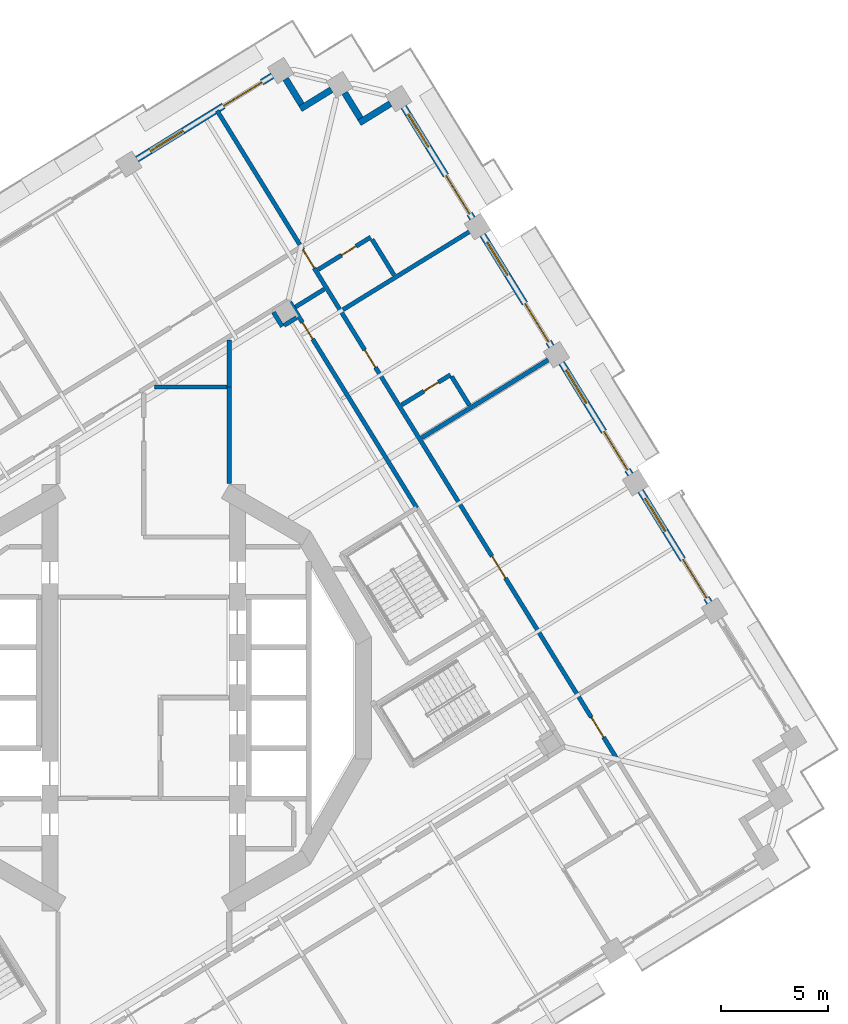
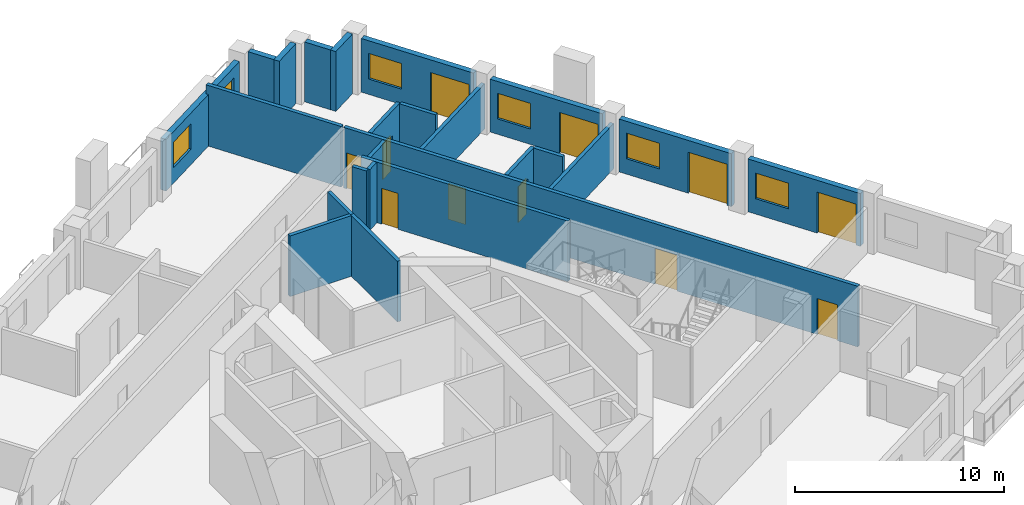
# One storey, part 10 of 20: 24 walls, 12 doors, 5 windows, 17 openings.
"""IFC4 building model written with IfcOpenShell, lengths in metres."""

from ifc_helpers import new_model, si_unit, direction, frame, frame_2d, origin, place, context, subcontext, project, spatial, rectangle, extrude, material, layer, layer_set, type_object, element, fill, save


model = new_model("IFC4")

# Units and contexts
model_context = context("Model", 3, precision=1e-05, world=origin(), true_north=direction((0.0, 1.0)))
body_context = subcontext(model_context, "Body", "Model", "MODEL_VIEW")
ifc_project = project(units=[si_unit("LENGTHUNIT", "METRE"), si_unit("AREAUNIT", "SQUARE_METRE"), si_unit("VOLUMEUNIT", "CUBIC_METRE"), si_unit("PLANEANGLEUNIT", "RADIAN"), si_unit("MASSUNIT", "GRAM", prefix="KILO")], contexts=[model_context])

# Site, building, storey
site_placement = place(None, origin())
site = spatial("IfcSite", under=ifc_project, at=site_placement, CompositionType="ELEMENT")
building_placement = place(site_placement, origin())
building = spatial("IfcBuilding", under=site, at=building_placement, Name="Cantera Rosa Tower", CompositionType="ELEMENT")
storey_placement = place(building_placement, frame((0.0, 0.0, 155.199951171875)))
storey = spatial("IfcBuildingStorey", under=building, at=storey_placement, Name="L33", CompositionType="ELEMENT", Elevation=155.199951171875)

# Walls
ifc_material_1 = material(Name="Gypsum board partition")
ifc_layer_1 = layer(ifc_material_1, 0.199951171875)
ifc_layer_set_1 = layer_set([ifc_layer_1], Name="CORRIDOR WALL 200 H3550")
wall_type_1 = type_object("IfcWallType", Name="CORRIDOR WALL 200 H3550", PredefinedType="PARTITIONING", material=ifc_layer_set_1)
wall_1_placement = place(storey_placement, frame((3.89990234375, 14.5, 0.0), z_axis=(0.0, 0.0, 1.0), x_axis=(-1.0, 0.0, 0.0)))
element("IfcWall", 1, at=wall_1_placement, inside=storey, type_object=wall_type_1, Name="CORRIDOR WALL L33-071", PredefinedType="PARTITIONING", context=body_context, shape_type="SweptSolid", body=[
    extrude(rectangle(XDim=3.38623046875, YDim=0.199951171875, at=frame_2d((1.693115234375, 0.0))), origin(), (0.0, 0.0, 1.0), 3.550048828125),
])
wall_2_placement = place(storey_placement, frame((4.0, 14.5, 0.0), z_axis=(0.0, 0.0, 1.0), x_axis=(0.0, 1.0, 0.0)))
element("IfcWall", 2, at=wall_2_placement, inside=storey, type_object=wall_type_1, Name="CORRIDOR WALL L33-072", PredefinedType="PARTITIONING", context=body_context, shape_type="SweptSolid", body=[
    extrude(rectangle(XDim=2.2001953125, YDim=0.199951171875, at=frame_2d((1.10009765625, 0.0))), origin(), (0.0, 0.0, 1.0), 3.550048828125),
])
wall_3_placement = place(storey_placement, frame((7.08154296875, 18.234619140625, 0.0), z_axis=(0.0, 0.0, 1.0), x_axis=(0.8511858258, 0.524864449127, 0.0)))
element("IfcWall", 3, at=wall_3_placement, inside=storey, type_object=wall_type_1, Name="CORRIDOR WALL L33-084", PredefinedType="PARTITIONING", context=body_context, shape_type="SweptSolid", body=[
    extrude(rectangle(XDim=1.580078125, YDim=0.199951171875, at=frame_2d((0.7900390625, 0.0))), origin(), (0.0, 0.0, 1.0), 3.550048828125),
])

# Wall, opening, door
wall_4_placement = place(storey_placement, frame((12.74560546875, 8.861328125, 0.0), z_axis=(0.0, 0.0, 1.0), x_axis=(-0.524983574612, 0.851112358263, 0.0)))
wall_4 = element("IfcWall", 4, at=wall_4_placement, inside=storey, type_object=wall_type_1, Name="CORRIDOR WALL L33-101", PredefinedType="PARTITIONING", context=body_context, shape_type="SweptSolid", body=[
    extrude(rectangle(XDim=11.279296875, YDim=0.199951171875, at=frame_2d((5.6396484375, 0.0))), origin(), (0.0, 0.0, 1.0), 3.550048828125),
])
opening_1_placement = place(wall_4_placement, frame((9.26171875, 0.0, 0.0)))
opening_1 = element("IfcOpeningElement", 5, at=opening_1_placement, cuts=wall_4, Name="Opening L33-005", PredefinedType="OPENING", context=body_context, shape_type="SweptSolid", body=[
    extrude(rectangle(XDim=0.89990234375, YDim=2.10009765625, at=frame_2d((0.449951171875, 1.050048828125))), frame((0.0, 0.10986328125, 0.0), z_axis=(0.0, -1.0, 0.0), x_axis=(1.0, 0.0, 0.0)), (0.0, 0.0, 1.0), 0.219970703125),
])
ifc_material_2 = material(Name="Timber door leaf", Category="wood")
door_type_1 = type_object("IfcDoorType", Name="SERVICE DOOR 900x2100", OperationType="NOTDEFINED", PredefinedType="DOOR", material=ifc_material_2)
door_1_placement = place(opening_1_placement, origin())
door_1 = element("IfcDoor", 6, at=door_1_placement, inside=storey, type_object=door_type_1, Name="DOOR L33-005", OperationType="NOTDEFINED", OverallHeight=2.10009765625, OverallWidth=0.89990234375, PredefinedType="DOOR", context=body_context, shape_type="SweptSolid", body=[
    extrude(rectangle(XDim=0.89990234375, YDim=2.10009765625, at=frame_2d((0.449951171875, 1.050048828125))), frame((0.0, 0.02490234375, 0.0), z_axis=(0.0, -1.0, 0.0), x_axis=(1.0, 0.0, 0.0)), (0.0, 0.0, 1.0), 0.050048828125),
])
fill(opening_1, door_1)

# Wall, openings, doors
wall_5_placement = place(storey_placement, frame((22.047607421875, -2.791015625, 0.0), z_axis=(0.0, 0.0, 1.0), x_axis=(-0.524972822833, 0.851118990087, 0.0)))
wall_5 = element("IfcWall", 7, at=wall_5_placement, inside=storey, type_object=wall_type_1, Name="CORRIDOR WALL L33-117", PredefinedType="PARTITIONING", context=body_context, shape_type="SweptSolid", body=[
    extrude(rectangle(XDim=28.0, YDim=0.199951171875, at=frame_2d((14.0, 0.0))), origin(), (0.0, 0.0, 1.0), 3.550048828125),
])
opening_2_placement = place(wall_5_placement, frame((9.840087890625, 0.0, 0.0)))
opening_2 = element("IfcOpeningElement", 8, at=opening_2_placement, cuts=wall_5, Name="Opening L33-019", PredefinedType="OPENING", context=body_context, shape_type="SweptSolid", body=[
    extrude(rectangle(XDim=1.199951171875, YDim=2.10009765625, at=frame_2d((0.60009765625, 1.050048828125))), frame((0.0, 0.10986328125, 0.0), z_axis=(0.0, -1.0, 0.0), x_axis=(1.0, 0.0, 0.0)), (0.0, 0.0, 1.0), 0.219970703125),
])
opening_3_placement = place(wall_5_placement, frame((21.39501953125, 0.0, 0.0)))
opening_3 = element("IfcOpeningElement", 9, at=opening_3_placement, cuts=wall_5, Name="Opening L33-020", PredefinedType="OPENING", context=body_context, shape_type="SweptSolid", body=[
    extrude(rectangle(XDim=0.949951171875, YDim=2.10009765625, at=frame_2d((0.47509765625, 1.050048828125))), frame((0.0, 0.10986328125, 0.0), z_axis=(0.0, -1.0, 0.0), x_axis=(1.0, 0.0, 0.0)), (0.0, 0.0, 1.0), 0.219970703125),
])
opening_4_placement = place(wall_5_placement, frame((1.110107421875, 0.0, 0.0)))
opening_4 = element("IfcOpeningElement", 10, at=opening_4_placement, cuts=wall_5, Name="Opening L33-022", PredefinedType="OPENING", context=body_context, shape_type="SweptSolid", body=[
    extrude(rectangle(XDim=1.10009765625, YDim=2.10009765625, at=frame_2d((0.550048828125, 1.050048828125))), frame((0.0, 0.10986328125, 0.0), z_axis=(0.0, -1.0, 0.0), x_axis=(1.0, 0.0, 0.0)), (0.0, 0.0, 1.0), 0.219970703125),
])
opening_5_placement = place(wall_5_placement, frame((26.840087890625, 0.0, 0.0)))
opening_5 = element("IfcOpeningElement", 11, at=opening_5_placement, cuts=wall_5, Name="Opening L33-023", PredefinedType="OPENING", context=body_context, shape_type="SweptSolid", body=[
    extrude(rectangle(XDim=1.0, YDim=2.10009765625, at=frame_2d((0.5, 1.050048828125))), frame((0.0, 0.10986328125, 0.0), z_axis=(0.0, -1.0, 0.0), x_axis=(1.0, 0.0, 0.0)), (0.0, 0.0, 1.0), 0.219970703125),
])
ifc_material_3 = material(Name="Timber door leaf", Category="wood")
door_type_2 = type_object("IfcDoorType", Name="ENTRANCE DOOR 1000x2100", OperationType="NOTDEFINED", PredefinedType="DOOR", material=ifc_material_3)
door_2_placement = place(opening_5_placement, origin())
door_2 = element("IfcDoor", 12, at=door_2_placement, inside=storey, type_object=door_type_2, Name="DOOR L33-023", OperationType="NOTDEFINED", OverallHeight=2.10009765625, OverallWidth=1.0, PredefinedType="DOOR", context=body_context, shape_type="SweptSolid", body=[
    extrude(rectangle(XDim=1.0, YDim=2.10009765625, at=frame_2d((0.5, 1.050048828125))), frame((0.0, 0.02490234375, 0.0), z_axis=(0.0, -1.0, 0.0), x_axis=(1.0, 0.0, 0.0)), (0.0, 0.0, 1.0), 0.050048828125),
])
fill(opening_5, door_2)
ifc_material_4 = material(Name="Timber door leaf", Category="wood")
door_type_3 = type_object("IfcDoorType", Name="ROOM DOOR 1100x2100", OperationType="NOTDEFINED", PredefinedType="DOOR", material=ifc_material_4)
door_3_placement = place(opening_4_placement, origin())
door_3 = element("IfcDoor", 13, at=door_3_placement, inside=storey, type_object=door_type_3, Name="DOOR L33-022", OperationType="NOTDEFINED", OverallHeight=2.10009765625, OverallWidth=1.10009765625, PredefinedType="DOOR", context=body_context, shape_type="SweptSolid", body=[
    extrude(rectangle(XDim=1.10009765625, YDim=2.10009765625, at=frame_2d((0.550048828125, 1.050048828125))), frame((0.0, 0.02490234375, 0.0), z_axis=(0.0, -1.0, 0.0), x_axis=(1.0, 0.0, 0.0)), (0.0, 0.0, 1.0), 0.050048828125),
])
fill(opening_4, door_3)
ifc_material_5 = material(Name="Timber door leaf", Category="wood")
door_type_4 = type_object("IfcDoorType", Name="ROOM DOOR 1200x2100", OperationType="NOTDEFINED", PredefinedType="DOOR", material=ifc_material_5)
door_4_placement = place(opening_2_placement, origin())
door_4 = element("IfcDoor", 14, at=door_4_placement, inside=storey, type_object=door_type_4, Name="DOOR L33-019", OperationType="NOTDEFINED", OverallHeight=2.10009765625, OverallWidth=1.199951171875, PredefinedType="DOOR", context=body_context, shape_type="SweptSolid", body=[
    extrude(rectangle(XDim=1.199951171875, YDim=2.10009765625, at=frame_2d((0.60009765625, 1.050048828125))), frame((0.0, 0.02490234375, 0.0), z_axis=(0.0, -1.0, 0.0), x_axis=(1.0, 0.0, 0.0)), (0.0, 0.0, 1.0), 0.050048828125),
])
fill(opening_2, door_4)
ifc_material_6 = material(Name="Timber door leaf", Category="wood")
door_type_5 = type_object("IfcDoorType", Name="ROOM DOOR 950x2100", OperationType="NOTDEFINED", PredefinedType="DOOR", material=ifc_material_6)
door_5_placement = place(opening_3_placement, origin())
door_5 = element("IfcDoor", 15, at=door_5_placement, inside=storey, type_object=door_type_5, Name="DOOR L33-020", OperationType="NOTDEFINED", OverallHeight=2.10009765625, OverallWidth=0.949951171875, PredefinedType="DOOR", context=body_context, shape_type="SweptSolid", body=[
    extrude(rectangle(XDim=0.949951171875, YDim=2.10009765625, at=frame_2d((0.47509765625, 1.050048828125))), frame((0.0, 0.02490234375, 0.0), z_axis=(0.0, -1.0, 0.0), x_axis=(1.0, 0.0, 0.0)), (0.0, 0.0, 1.0), 0.050048828125),
])
fill(opening_3, door_5)

# Walls
ifc_material_7 = material(Name="Hollow clay masonry with cantera stone cladding", Category="masonry")
ifc_layer_2 = layer(ifc_material_7, 0.300048828125)
ifc_layer_set_2 = layer_set([ifc_layer_2], Name="EW-LOGGIA 300")
wall_type_2 = type_object("IfcWallType", Name="EW-LOGGIA 300", PredefinedType="SOLIDWALL", material=ifc_layer_set_2)
wall_6_placement = place(storey_placement, frame((11.51123046875, 27.72021484375, 0.0), z_axis=(0.0, 0.0, 1.0), x_axis=(-0.851130227454, -0.524954603669, 0.0)))
element("IfcWall", 16, at=wall_6_placement, inside=storey, type_object=wall_type_2, Name="EN-L33-W06a", PredefinedType="SOLIDWALL", context=body_context, shape_type="SweptSolid", body=[
    extrude(rectangle(XDim=1.699951171875, YDim=0.300048828125, at=frame_2d((0.85009765625, 0.0))), origin(), (0.0, 0.0, 1.0), 3.5),
])
wall_7_placement = place(storey_placement, frame((10.11328125, 27.0341796875, 0.0), z_axis=(0.0, 0.0, 1.0), x_axis=(-0.524895019961, 0.85116697423, 0.0)))
element("IfcWall", 17, at=wall_7_placement, inside=storey, type_object=wall_type_2, Name="EN-L33-W06b", PredefinedType="SOLIDWALL", context=body_context, shape_type="SweptSolid", body=[
    extrude(rectangle(XDim=1.39990234375, YDim=0.300048828125, at=frame_2d((0.699951171875, 0.0))), origin(), (0.0, 0.0, 1.0), 3.5),
])
wall_8_placement = place(storey_placement, frame((8.75927734375, 28.37255859375, 0.0), z_axis=(0.0, 0.0, 1.0), x_axis=(-0.851105638601, -0.524994468487, 0.0)))
element("IfcWall", 18, at=wall_8_placement, inside=storey, type_object=wall_type_2, Name="EN-L33-W07a", PredefinedType="SOLIDWALL", context=body_context, shape_type="SweptSolid", body=[
    extrude(rectangle(XDim=1.7001953125, YDim=0.300048828125, at=frame_2d((0.85009765625, 0.0))), origin(), (0.0, 0.0, 1.0), 3.5),
])
wall_9_placement = place(storey_placement, frame((7.361083984375, 27.6865234375, 0.0), z_axis=(0.0, 0.0, 1.0), x_axis=(-0.524895019961, 0.85116697423, 0.0)))
element("IfcWall", 19, at=wall_9_placement, inside=storey, type_object=wall_type_2, Name="EN-L33-W07b", PredefinedType="SOLIDWALL", context=body_context, shape_type="SweptSolid", body=[
    extrude(rectangle(XDim=1.39990234375, YDim=0.300048828125, at=frame_2d((0.699951171875, 0.0))), origin(), (0.0, 0.0, 1.0), 3.5),
])

# Wall, openings, window, door
ifc_material_8 = material(Name="Hollow clay masonry with cantera stone cladding", Category="masonry")
ifc_layer_3 = layer(ifc_material_8, 0.300048828125)
ifc_layer_set_3 = layer_set([ifc_layer_3], Name="EW-LOGGIA 300 H3020")
wall_type_3 = type_object("IfcWallType", Name="EW-LOGGIA 300 H3020", PredefinedType="SOLIDWALL", material=ifc_layer_set_3)
wall_10_placement = place(storey_placement, frame((6.007080078125, 29.02490234375, 0.0), z_axis=(0.0, 0.0, 1.0), x_axis=(-0.851111085575, -0.524985637909, 0.0)))
wall_10 = element("IfcWall", 20, at=wall_10_placement, inside=storey, type_object=wall_type_3, Name="EN-L33-W08", PredefinedType="SOLIDWALL", context=body_context, shape_type="SweptSolid", body=[
    extrude(rectangle(XDim=7.420166015625, YDim=0.300048828125, at=frame_2d((3.7099609375, 0.0))), origin(), (0.0, 0.0, 1.0), 3.02001953125),
])
opening_6_placement = place(wall_10_placement, frame((0.580078125, 0.0, 0.0)))
opening_6 = element("IfcOpeningElement", 21, at=opening_6_placement, cuts=wall_10, Name="Opening L33-TD11", PredefinedType="OPENING", context=body_context, shape_type="SweptSolid", body=[
    extrude(rectangle(XDim=2.10009765625, YDim=2.39990234375, at=frame_2d((1.050048828125, 1.199951171875))), frame((0.0, 0.159912109375, 0.0), z_axis=(0.0, -1.0, 0.0), x_axis=(1.0, 0.0, 0.0)), (0.0, 0.0, 1.0), 0.320068359375),
])
opening_7_placement = place(wall_10_placement, frame((4.889892578125, 0.0, 0.89990234375)))
opening_7 = element("IfcOpeningElement", 22, at=opening_7_placement, cuts=wall_10, Name="Opening L33-W12", PredefinedType="OPENING", context=body_context, shape_type="SweptSolid", body=[
    extrude(rectangle(XDim=1.800048828125, YDim=1.5, at=frame_2d((0.89990234375, 0.75))), frame((0.0, 0.159912109375, 0.0), z_axis=(0.0, -1.0, 0.0), x_axis=(1.0, 0.0, 0.0)), (0.0, 0.0, 1.0), 0.320068359375),
])
ifc_material_9 = material(Name="Aluminium frame with clear glass", Category="aluminium")
window_type = type_object("IfcWindowType", Name="Hotel room window 1800x1500", PartitioningType="DOUBLE_PANEL_VERTICAL", PredefinedType="WINDOW", material=ifc_material_9)
window_1_placement = place(opening_7_placement, origin())
window_1 = element("IfcWindow", 23, at=window_1_placement, inside=storey, type_object=window_type, Name="WINDOW L33-W12", OverallHeight=1.5, OverallWidth=1.800048828125, PartitioningType="SINGLE_PANEL", PredefinedType="WINDOW", context=body_context, shape_type="SweptSolid", body=[
    extrude(rectangle(XDim=1.800048828125, YDim=1.5, at=frame_2d((0.89990234375, 0.75))), frame((0.0, 0.030029296875, 0.0), z_axis=(0.0, -1.0, 0.0), x_axis=(1.0, 0.0, 0.0)), (0.0, 0.0, 1.0), 0.06005859375),
])
fill(opening_7, window_1)
ifc_material_10 = material(Name="Aluminium frame with clear glass", Category="aluminium")
door_type_6 = type_object("IfcDoorType", Name="TD-H 2100x2400", OperationType="NOTDEFINED", PredefinedType="DOOR", material=ifc_material_10)
door_6_placement = place(opening_6_placement, origin())
door_6 = element("IfcDoor", 24, at=door_6_placement, inside=storey, type_object=door_type_6, Name="LOGGIA DOOR L33-TD11", OperationType="SLIDING_TO_LEFT", OverallHeight=2.39990234375, OverallWidth=2.10009765625, PredefinedType="DOOR", context=body_context, shape_type="SweptSolid", body=[
    extrude(rectangle(XDim=2.10009765625, YDim=2.39990234375, at=frame_2d((1.050048828125, 1.199951171875))), frame((0.0, 0.02490234375, 0.0), z_axis=(0.0, -1.0, 0.0), x_axis=(1.0, 0.0, 0.0)), (0.0, 0.0, 1.0), 0.050048828125),
])
fill(opening_6, door_6)

ifc_material_11 = material(Name="Hollow clay masonry with cantera stone cladding", Category="masonry")
ifc_layer_4 = layer(ifc_material_11, 0.300048828125)
ifc_layer_set_4 = layer_set([ifc_layer_4], Name="EW-LOGGIA 300 H3090")
wall_type_4 = type_object("IfcWallType", Name="EW-LOGGIA 300 H3090", PredefinedType="SOLIDWALL", material=ifc_layer_set_4)
wall_11_placement = place(storey_placement, frame((26.3994140625, 4.440185546875, 0.0), z_axis=(0.0, 0.0, 1.0), x_axis=(-0.524987447654, 0.851109969279, 0.0)))
wall_11 = element("IfcWall", 25, at=wall_11_placement, inside=storey, type_object=wall_type_4, Name="EN-L33-W02", PredefinedType="SOLIDWALL", context=body_context, shape_type="SweptSolid", body=[
    extrude(rectangle(XDim=6.119873046875, YDim=0.300048828125, at=frame_2d((3.06005859375, 0.0))), origin(), (0.0, 0.0, 1.0), 3.090087890625),
])
opening_8_placement = place(wall_11_placement, frame((0.2548828125, 0.0, 0.0)))
opening_8 = element("IfcOpeningElement", 26, at=opening_8_placement, cuts=wall_11, Name="Opening L33-TD03", PredefinedType="OPENING", context=body_context, shape_type="SweptSolid", body=[
    extrude(rectangle(XDim=2.10009765625, YDim=2.39990234375, at=frame_2d((1.050048828125, 1.199951171875))), frame((0.0, 0.159912109375, 0.0), z_axis=(0.0, -1.0, 0.0), x_axis=(1.0, 0.0, 0.0)), (0.0, 0.0, 1.0), 0.320068359375),
])
opening_9_placement = place(wall_11_placement, frame((3.9150390625, 0.0, 0.89990234375)))
opening_9 = element("IfcOpeningElement", 27, at=opening_9_placement, cuts=wall_11, Name="Opening L33-W04", PredefinedType="OPENING", context=body_context, shape_type="SweptSolid", body=[
    extrude(rectangle(XDim=1.800048828125, YDim=1.5, at=frame_2d((0.89990234375, 0.75))), frame((0.0, 0.159912109375, 0.0), z_axis=(0.0, -1.0, 0.0), x_axis=(1.0, 0.0, 0.0)), (0.0, 0.0, 1.0), 0.320068359375),
])
window_2_placement = place(opening_9_placement, origin())
window_2 = element("IfcWindow", 28, at=window_2_placement, inside=storey, type_object=window_type, Name="WINDOW L33-W04", OverallHeight=1.5, OverallWidth=1.800048828125, PartitioningType="SINGLE_PANEL", PredefinedType="WINDOW", context=body_context, shape_type="SweptSolid", body=[
    extrude(rectangle(XDim=1.800048828125, YDim=1.5, at=frame_2d((0.89990234375, 0.75))), frame((0.0, 0.030029296875, 0.0), z_axis=(0.0, -1.0, 0.0), x_axis=(1.0, 0.0, 0.0)), (0.0, 0.0, 1.0), 0.06005859375),
])
fill(opening_9, window_2)
door_7_placement = place(opening_8_placement, origin())
door_7 = element("IfcDoor", 29, at=door_7_placement, inside=storey, type_object=door_type_6, Name="LOGGIA DOOR L33-TD03", OperationType="SLIDING_TO_LEFT", OverallHeight=2.39990234375, OverallWidth=2.10009765625, PredefinedType="DOOR", context=body_context, shape_type="SweptSolid", body=[
    extrude(rectangle(XDim=2.10009765625, YDim=2.39990234375, at=frame_2d((1.050048828125, 1.199951171875))), frame((0.0, 0.02490234375, 0.0), z_axis=(0.0, -1.0, 0.0), x_axis=(1.0, 0.0, 0.0)), (0.0, 0.0, 1.0), 0.050048828125),
])
fill(opening_8, door_7)

wall_12_placement = place(storey_placement, frame((22.714111328125, 10.4150390625, 0.0), z_axis=(0.0, 0.0, 1.0), x_axis=(-0.524987447654, 0.851109969279, 0.0)))
wall_12 = element("IfcWall", 30, at=wall_12_placement, inside=storey, type_object=wall_type_4, Name="EN-L33-W03", PredefinedType="SOLIDWALL", context=body_context, shape_type="SweptSolid", body=[
    extrude(rectangle(XDim=6.119873046875, YDim=0.300048828125, at=frame_2d((3.06005859375, 0.0))), origin(), (0.0, 0.0, 1.0), 3.090087890625),
])
opening_10_placement = place(wall_12_placement, frame((0.2548828125, 0.0, 0.0)))
opening_10 = element("IfcOpeningElement", 31, at=opening_10_placement, cuts=wall_12, Name="Opening L33-TD05", PredefinedType="OPENING", context=body_context, shape_type="SweptSolid", body=[
    extrude(rectangle(XDim=2.10009765625, YDim=2.39990234375, at=frame_2d((1.050048828125, 1.199951171875))), frame((0.0, 0.159912109375, 0.0), z_axis=(0.0, -1.0, 0.0), x_axis=(1.0, 0.0, 0.0)), (0.0, 0.0, 1.0), 0.320068359375),
])
opening_11_placement = place(wall_12_placement, frame((3.9150390625, 0.0, 0.89990234375)))
opening_11 = element("IfcOpeningElement", 32, at=opening_11_placement, cuts=wall_12, Name="Opening L33-W06", PredefinedType="OPENING", context=body_context, shape_type="SweptSolid", body=[
    extrude(rectangle(XDim=1.800048828125, YDim=1.5, at=frame_2d((0.89990234375, 0.75))), frame((0.0, 0.159912109375, 0.0), z_axis=(0.0, -1.0, 0.0), x_axis=(1.0, 0.0, 0.0)), (0.0, 0.0, 1.0), 0.320068359375),
])
window_3_placement = place(opening_11_placement, origin())
window_3 = element("IfcWindow", 33, at=window_3_placement, inside=storey, type_object=window_type, Name="WINDOW L33-W06", OverallHeight=1.5, OverallWidth=1.800048828125, PartitioningType="SINGLE_PANEL", PredefinedType="WINDOW", context=body_context, shape_type="SweptSolid", body=[
    extrude(rectangle(XDim=1.800048828125, YDim=1.5, at=frame_2d((0.89990234375, 0.75))), frame((0.0, 0.030029296875, 0.0), z_axis=(0.0, -1.0, 0.0), x_axis=(1.0, 0.0, 0.0)), (0.0, 0.0, 1.0), 0.06005859375),
])
fill(opening_11, window_3)
door_8_placement = place(opening_10_placement, origin())
door_8 = element("IfcDoor", 34, at=door_8_placement, inside=storey, type_object=door_type_6, Name="LOGGIA DOOR L33-TD05", OperationType="SLIDING_TO_LEFT", OverallHeight=2.39990234375, OverallWidth=2.10009765625, PredefinedType="DOOR", context=body_context, shape_type="SweptSolid", body=[
    extrude(rectangle(XDim=2.10009765625, YDim=2.39990234375, at=frame_2d((1.050048828125, 1.199951171875))), frame((0.0, 0.02490234375, 0.0), z_axis=(0.0, -1.0, 0.0), x_axis=(1.0, 0.0, 0.0)), (0.0, 0.0, 1.0), 0.050048828125),
])
fill(opening_10, door_8)

wall_13_placement = place(storey_placement, frame((19.02880859375, 16.389892578125, 0.0), z_axis=(0.0, 0.0, 1.0), x_axis=(-0.524987447654, 0.851109969279, 0.0)))
wall_13 = element("IfcWall", 35, at=wall_13_placement, inside=storey, type_object=wall_type_4, Name="EN-L33-W04", PredefinedType="SOLIDWALL", context=body_context, shape_type="SweptSolid", body=[
    extrude(rectangle(XDim=6.119873046875, YDim=0.300048828125, at=frame_2d((3.06005859375, 0.0))), origin(), (0.0, 0.0, 1.0), 3.090087890625),
])
opening_12_placement = place(wall_13_placement, frame((0.2548828125, 0.0, 0.0)))
opening_12 = element("IfcOpeningElement", 36, at=opening_12_placement, cuts=wall_13, Name="Opening L33-TD07", PredefinedType="OPENING", context=body_context, shape_type="SweptSolid", body=[
    extrude(rectangle(XDim=2.10009765625, YDim=2.39990234375, at=frame_2d((1.050048828125, 1.199951171875))), frame((0.0, 0.159912109375, 0.0), z_axis=(0.0, -1.0, 0.0), x_axis=(1.0, 0.0, 0.0)), (0.0, 0.0, 1.0), 0.320068359375),
])
opening_13_placement = place(wall_13_placement, frame((3.9150390625, 0.0, 0.89990234375)))
opening_13 = element("IfcOpeningElement", 37, at=opening_13_placement, cuts=wall_13, Name="Opening L33-W08", PredefinedType="OPENING", context=body_context, shape_type="SweptSolid", body=[
    extrude(rectangle(XDim=1.800048828125, YDim=1.5, at=frame_2d((0.89990234375, 0.75))), frame((0.0, 0.159912109375, 0.0), z_axis=(0.0, -1.0, 0.0), x_axis=(1.0, 0.0, 0.0)), (0.0, 0.0, 1.0), 0.320068359375),
])
window_4_placement = place(opening_13_placement, origin())
window_4 = element("IfcWindow", 38, at=window_4_placement, inside=storey, type_object=window_type, Name="WINDOW L33-W08", OverallHeight=1.5, OverallWidth=1.800048828125, PartitioningType="SINGLE_PANEL", PredefinedType="WINDOW", context=body_context, shape_type="SweptSolid", body=[
    extrude(rectangle(XDim=1.800048828125, YDim=1.5, at=frame_2d((0.89990234375, 0.75))), frame((0.0, 0.030029296875, 0.0), z_axis=(0.0, -1.0, 0.0), x_axis=(1.0, 0.0, 0.0)), (0.0, 0.0, 1.0), 0.06005859375),
])
fill(opening_13, window_4)
door_9_placement = place(opening_12_placement, origin())
door_9 = element("IfcDoor", 39, at=door_9_placement, inside=storey, type_object=door_type_6, Name="LOGGIA DOOR L33-TD07", OperationType="SLIDING_TO_LEFT", OverallHeight=2.39990234375, OverallWidth=2.10009765625, PredefinedType="DOOR", context=body_context, shape_type="SweptSolid", body=[
    extrude(rectangle(XDim=2.10009765625, YDim=2.39990234375, at=frame_2d((1.050048828125, 1.199951171875))), frame((0.0, 0.02490234375, 0.0), z_axis=(0.0, -1.0, 0.0), x_axis=(1.0, 0.0, 0.0)), (0.0, 0.0, 1.0), 0.050048828125),
])
fill(opening_12, door_9)

ifc_material_12 = material(Name="Hollow clay masonry with cantera stone cladding", Category="masonry")
ifc_layer_5 = layer(ifc_material_12, 0.300048828125)
ifc_layer_set_5 = layer_set([ifc_layer_5], Name="EW-LOGGIA 300 H3140")
wall_type_5 = type_object("IfcWallType", Name="EW-LOGGIA 300 H3140", PredefinedType="SOLIDWALL", material=ifc_layer_set_5)
wall_14_placement = place(storey_placement, frame((15.343505859375, 22.36474609375, 0.0), z_axis=(0.0, 0.0, 1.0), x_axis=(-0.524987447654, 0.851109969279, 0.0)))
wall_14 = element("IfcWall", 40, at=wall_14_placement, inside=storey, type_object=wall_type_5, Name="EN-L33-W05", PredefinedType="SOLIDWALL", context=body_context, shape_type="SweptSolid", body=[
    extrude(rectangle(XDim=6.119873046875, YDim=0.300048828125, at=frame_2d((3.06005859375, 0.0))), origin(), (0.0, 0.0, 1.0), 3.14013671875),
])
opening_14_placement = place(wall_14_placement, frame((0.2548828125, 0.0, 0.0)))
opening_14 = element("IfcOpeningElement", 41, at=opening_14_placement, cuts=wall_14, Name="Opening L33-TD09", PredefinedType="OPENING", context=body_context, shape_type="SweptSolid", body=[
    extrude(rectangle(XDim=2.10009765625, YDim=2.39990234375, at=frame_2d((1.050048828125, 1.199951171875))), frame((0.0, 0.159912109375, 0.0), z_axis=(0.0, -1.0, 0.0), x_axis=(1.0, 0.0, 0.0)), (0.0, 0.0, 1.0), 0.320068359375),
])
opening_15_placement = place(wall_14_placement, frame((3.9150390625, 0.0, 0.89990234375)))
opening_15 = element("IfcOpeningElement", 42, at=opening_15_placement, cuts=wall_14, Name="Opening L33-W10", PredefinedType="OPENING", context=body_context, shape_type="SweptSolid", body=[
    extrude(rectangle(XDim=1.800048828125, YDim=1.5, at=frame_2d((0.89990234375, 0.75))), frame((0.0, 0.159912109375, 0.0), z_axis=(0.0, -1.0, 0.0), x_axis=(1.0, 0.0, 0.0)), (0.0, 0.0, 1.0), 0.320068359375),
])
window_5_placement = place(opening_15_placement, origin())
window_5 = element("IfcWindow", 43, at=window_5_placement, inside=storey, type_object=window_type, Name="WINDOW L33-W10", OverallHeight=1.5, OverallWidth=1.800048828125, PartitioningType="SINGLE_PANEL", PredefinedType="WINDOW", context=body_context, shape_type="SweptSolid", body=[
    extrude(rectangle(XDim=1.800048828125, YDim=1.5, at=frame_2d((0.89990234375, 0.75))), frame((0.0, 0.030029296875, 0.0), z_axis=(0.0, -1.0, 0.0), x_axis=(1.0, 0.0, 0.0)), (0.0, 0.0, 1.0), 0.06005859375),
])
fill(opening_15, window_5)
door_10_placement = place(opening_14_placement, origin())
door_10 = element("IfcDoor", 44, at=door_10_placement, inside=storey, type_object=door_type_6, Name="LOGGIA DOOR L33-TD09", OperationType="SLIDING_TO_LEFT", OverallHeight=2.39990234375, OverallWidth=2.10009765625, PredefinedType="DOOR", context=body_context, shape_type="SweptSolid", body=[
    extrude(rectangle(XDim=2.10009765625, YDim=2.39990234375, at=frame_2d((1.050048828125, 1.199951171875))), frame((0.0, 0.02490234375, 0.0), z_axis=(0.0, -1.0, 0.0), x_axis=(1.0, 0.0, 0.0)), (0.0, 0.0, 1.0), 0.050048828125),
])
fill(opening_14, door_10)

# Walls
ifc_material_13 = material(Name="Gypsum board partition")
ifc_layer_6 = layer(ifc_material_13, 0.199951171875)
ifc_layer_set_6 = layer_set([ifc_layer_6], Name="PARTITION 200 H3550")
wall_type_6 = type_object("IfcWallType", Name="PARTITION 200 H3550", PredefinedType="PARTITIONING", material=ifc_layer_set_6)
wall_15_placement = place(storey_placement, frame((4.0, 9.994140625, 0.0), z_axis=(0.0, 0.0, 1.0), x_axis=(0.0, 1.0, 0.0)))
element("IfcWall", 45, at=wall_15_placement, inside=storey, type_object=wall_type_6, Name="PARTITION L33-070", PredefinedType="PARTITIONING", context=body_context, shape_type="SweptSolid", body=[
    extrude(rectangle(XDim=4.505859375, YDim=0.199951171875, at=frame_2d((2.2529296875, 0.0))), origin(), (0.0, 0.0, 1.0), 3.550048828125),
])
wall_16_placement = place(storey_placement, frame((6.058349609375, 17.98876953125, 0.0), z_axis=(0.0, 0.0, 1.0), x_axis=(0.524813124932, -0.851217471566, 0.0)))
element("IfcWall", 46, at=wall_16_placement, inside=storey, type_object=wall_type_6, Name="PARTITION L33-078", PredefinedType="PARTITIONING", context=body_context, shape_type="SweptSolid", body=[
    extrude(rectangle(XDim=0.780029296875, YDim=0.199951171875, at=frame_2d((0.39013671875, 0.0))), origin(), (0.0, 0.0, 1.0), 3.550048828125),
])
wall_17_placement = place(storey_placement, frame((6.552978515625, 17.377197265625, 0.0), z_axis=(0.0, 0.0, 1.0), x_axis=(0.850930166337, 0.525278832638, 0.0)))
element("IfcWall", 47, at=wall_17_placement, inside=storey, type_object=wall_type_6, Name="PARTITION L33-080", PredefinedType="PARTITIONING", context=body_context, shape_type="SweptSolid", body=[
    extrude(rectangle(XDim=0.679931640625, YDim=0.199951171875, at=frame_2d((0.33984375, 0.0))), origin(), (0.0, 0.0, 1.0), 3.550048828125),
])

# Wall, opening, door
wall_18_placement = place(storey_placement, frame((8.1435546875, 19.979736328125, 0.0), z_axis=(0.0, 0.0, 1.0), x_axis=(0.851107741162, 0.524991059862, 0.0)))
wall_18 = element("IfcWall", 48, at=wall_18_placement, inside=storey, type_object=wall_type_6, Name="PARTITION L33-091", PredefinedType="PARTITIONING", context=body_context, shape_type="SweptSolid", body=[
    extrude(rectangle(XDim=2.8798828125, YDim=0.199951171875, at=frame_2d((1.43994140625, 0.0))), origin(), (0.0, 0.0, 1.0), 3.550048828125),
])
opening_16_placement = place(wall_18_placement, frame((1.280029296875, 0.0, 0.0)))
opening_16 = element("IfcOpeningElement", 49, at=opening_16_placement, cuts=wall_18, Name="Opening L33-024", PredefinedType="OPENING", context=body_context, shape_type="SweptSolid", body=[
    extrude(rectangle(XDim=0.800048828125, YDim=2.10009765625, at=frame_2d((0.39990234375, 1.050048828125))), frame((0.0, 0.10986328125, 0.0), z_axis=(0.0, -1.0, 0.0), x_axis=(1.0, 0.0, 0.0)), (0.0, 0.0, 1.0), 0.219970703125),
])
ifc_material_14 = material(Name="Timber door leaf", Category="wood")
door_type_7 = type_object("IfcDoorType", Name="BATHROOM DOOR 800x2100", OperationType="NOTDEFINED", PredefinedType="DOOR", material=ifc_material_14)
door_11_placement = place(opening_16_placement, origin())
door_11 = element("IfcDoor", 50, at=door_11_placement, inside=storey, type_object=door_type_7, Name="DOOR L33-024", OperationType="NOTDEFINED", OverallHeight=2.10009765625, OverallWidth=0.800048828125, PredefinedType="DOOR", context=body_context, shape_type="SweptSolid", body=[
    extrude(rectangle(XDim=0.800048828125, YDim=2.10009765625, at=frame_2d((0.39990234375, 1.050048828125))), frame((0.0, 0.02490234375, 0.0), z_axis=(0.0, -1.0, 0.0), x_axis=(1.0, 0.0, 0.0)), (0.0, 0.0, 1.0), 0.050048828125),
])
fill(opening_16, door_11)

# Wall
wall_19_placement = place(storey_placement, frame((10.65771484375, 21.3896484375, 0.0), z_axis=(0.0, 0.0, 1.0), x_axis=(0.525007514528, -0.851097591167, 0.0)))
element("IfcWall", 51, at=wall_19_placement, inside=storey, type_object=wall_type_6, Name="PARTITION L33-095", PredefinedType="PARTITIONING", context=body_context, shape_type="SweptSolid", body=[
    extrude(rectangle(XDim=1.9599609375, YDim=0.199951171875, at=frame_2d((0.97998046875, 0.0))), origin(), (0.0, 0.0, 1.0), 3.550048828125),
])

# Wall, opening, door
wall_20_placement = place(storey_placement, frame((12.038818359375, 13.66455078125, 0.0), z_axis=(0.0, 0.0, 1.0), x_axis=(0.851110493934, 0.524986597082, 0.0)))
wall_20 = element("IfcWall", 52, at=wall_20_placement, inside=storey, type_object=wall_type_6, Name="PARTITION L33-099", PredefinedType="PARTITIONING", context=body_context, shape_type="SweptSolid", body=[
    extrude(rectangle(XDim=2.679931640625, YDim=0.199951171875, at=frame_2d((1.33984375, 0.0))), origin(), (0.0, 0.0, 1.0), 3.550048828125),
])
opening_17_placement = place(wall_20_placement, frame((1.216064453125, 0.0, 0.0)))
opening_17 = element("IfcOpeningElement", 53, at=opening_17_placement, cuts=wall_20, Name="Opening L33-021", PredefinedType="OPENING", context=body_context, shape_type="SweptSolid", body=[
    extrude(rectangle(XDim=0.800048828125, YDim=2.10009765625, at=frame_2d((0.39990234375, 1.050048828125))), frame((0.0, 0.10986328125, 0.0), z_axis=(0.0, -1.0, 0.0), x_axis=(1.0, 0.0, 0.0)), (0.0, 0.0, 1.0), 0.219970703125),
])
door_12_placement = place(opening_17_placement, origin())
door_12 = element("IfcDoor", 54, at=door_12_placement, inside=storey, type_object=door_type_7, Name="DOOR L33-021", OperationType="NOTDEFINED", OverallHeight=2.10009765625, OverallWidth=0.800048828125, PredefinedType="DOOR", context=body_context, shape_type="SweptSolid", body=[
    extrude(rectangle(XDim=0.800048828125, YDim=2.10009765625, at=frame_2d((0.39990234375, 1.050048828125))), frame((0.0, 0.02490234375, 0.0), z_axis=(0.0, -1.0, 0.0), x_axis=(1.0, 0.0, 0.0)), (0.0, 0.0, 1.0), 0.050048828125),
])
fill(opening_17, door_12)

# Walls
wall_21_placement = place(storey_placement, frame((14.372314453125, 14.986328125, 0.0), z_axis=(0.0, 0.0, 1.0), x_axis=(0.525045417929, -0.851074208933, 0.0)))
element("IfcWall", 55, at=wall_21_placement, inside=storey, type_object=wall_type_6, Name="PARTITION L33-104", PredefinedType="PARTITIONING", context=body_context, shape_type="SweptSolid", body=[
    extrude(rectangle(XDim=1.580078125, YDim=0.199951171875, at=frame_2d((0.7900390625, 0.0))), origin(), (0.0, 0.0, 1.0), 3.550048828125),
])
ifc_material_15 = material(Name="Gypsum board partition")
ifc_layer_7 = layer(ifc_material_15, 0.199951171875)
ifc_layer_set_7 = layer_set([ifc_layer_7], Name="PARTY WALL 200 H2650")
wall_type_7 = type_object("IfcWallType", Name="PARTY WALL 200 H2650", PredefinedType="PARTITIONING", material=ifc_layer_set_7)
wall_22_placement = place(storey_placement, frame((9.29833984375, 18.107421875, 0.0), z_axis=(0.0, 0.0, 1.0), x_axis=(0.851133272812, 0.524949666075, 0.0)))
element("IfcWall", 56, at=wall_22_placement, inside=storey, type_object=wall_type_7, Name="PARTY WALL L33-093", PredefinedType="PARTITIONING", context=body_context, shape_type="SweptSolid", body=[
    extrude(rectangle(XDim=7.35009765625, YDim=0.199951171875, at=frame_2d((3.675048828125, 0.0))), origin(), (0.0, 0.0, 1.0), 2.650146484375),
])
wall_23_placement = place(storey_placement, frame((12.98388671875, 12.132568359375, 0.0), z_axis=(0.0, 0.0, 1.0), x_axis=(0.851109277096, 0.52498856982, 0.0)))
element("IfcWall", 57, at=wall_23_placement, inside=storey, type_object=wall_type_7, Name="PARTY WALL L33-103", PredefinedType="PARTITIONING", context=body_context, shape_type="SweptSolid", body=[
    extrude(rectangle(XDim=7.349853515625, YDim=0.199951171875, at=frame_2d((3.6748046875, 0.0))), origin(), (0.0, 0.0, 1.0), 2.650146484375),
])
ifc_material_16 = material(Name="Gypsum board partition")
ifc_layer_8 = layer(ifc_material_16, 0.199951171875)
ifc_layer_set_8 = layer_set([ifc_layer_8], Name="PARTY WALL 200 H3550")
wall_type_8 = type_object("IfcWallType", Name="PARTY WALL 200 H3550", PredefinedType="PARTITIONING", material=ifc_layer_set_8)
wall_24_placement = place(storey_placement, frame((7.285400390625, 21.142333984375, 0.0), z_axis=(0.0, 0.0, 1.0), x_axis=(-0.524973728225, 0.851118431638, 0.0)))
element("IfcWall", 58, at=wall_24_placement, inside=storey, type_object=wall_type_8, Name="PARTY WALL L33-086", PredefinedType="PARTITIONING", context=body_context, shape_type="SweptSolid", body=[
    extrude(rectangle(XDim=7.35009765625, YDim=0.199951171875, at=frame_2d((3.675048828125, 0.0))), origin(), (0.0, 0.0, 1.0), 3.550048828125),
])

save(model, "model.ifc")
